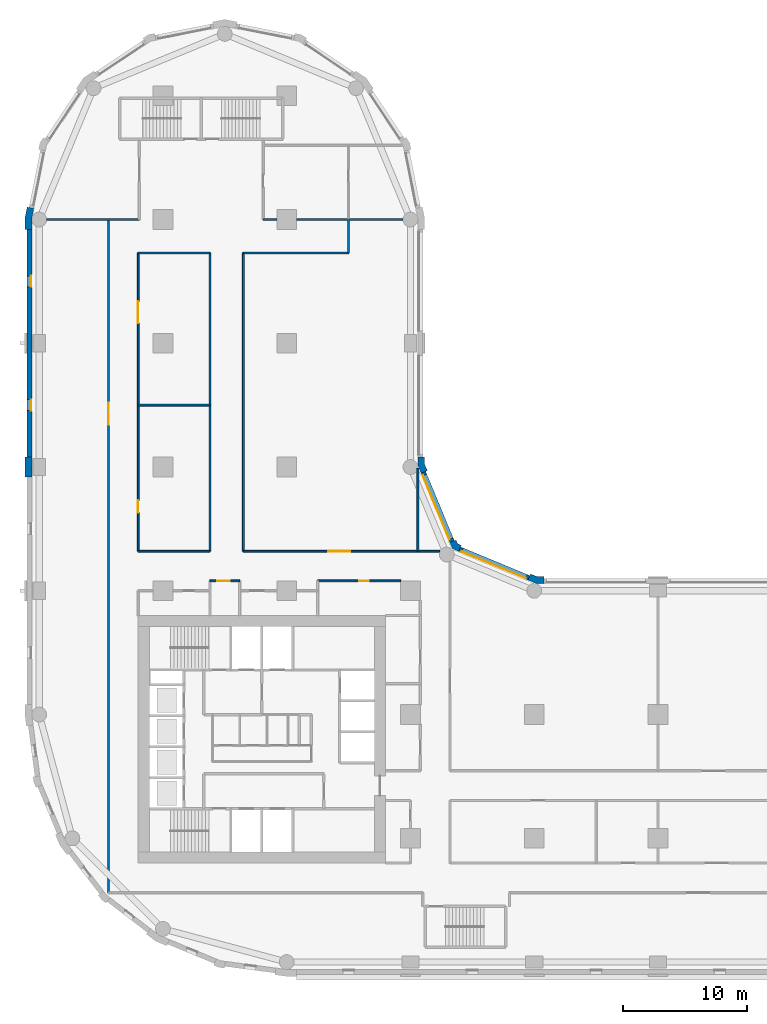
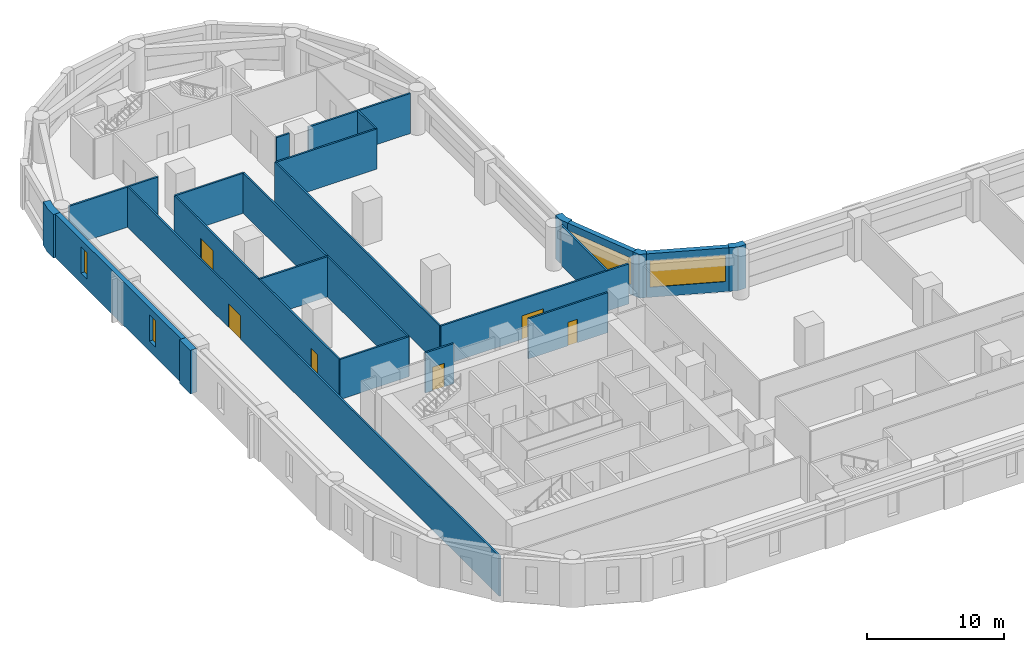
# One storey, part 5 of 10: 24 walls, 6 doors, 4 windows, 10 openings.
"""IFC4 building model written with IfcOpenShell, lengths in metres."""

from ifc_helpers import new_model, si_unit, direction, frame, frame_2d, origin, place, context, subcontext, project, spatial, polyline, rectangle, outline, extrude, material, layer, layer_set, type_object, element, fill, save


model = new_model("IFC4")

# Units and contexts
model_context = context("Model", 3, precision=1e-05, world=origin(), true_north=direction((0.0, 1.0)))
body_context = subcontext(model_context, "Body", "Model", "MODEL_VIEW")
ifc_project = project(units=[si_unit("LENGTHUNIT", "METRE"), si_unit("AREAUNIT", "SQUARE_METRE"), si_unit("VOLUMEUNIT", "CUBIC_METRE"), si_unit("PLANEANGLEUNIT", "RADIAN"), si_unit("MASSUNIT", "GRAM", prefix="KILO")], contexts=[model_context])

# Site, building, storey
site_placement = place(None, origin())
site = spatial("IfcSite", under=ifc_project, at=site_placement, CompositionType="ELEMENT")
building_placement = place(site_placement, origin())
building = spatial("IfcBuilding", under=site, at=building_placement, Name="Qaws Garden Tower", CompositionType="ELEMENT")
storey_placement = place(building_placement, frame((0.0, 0.0, 35.39990234375)))
storey = spatial("IfcBuildingStorey", under=building, at=storey_placement, Name="L08", CompositionType="ELEMENT", Elevation=35.39990234375)

# Wall, opening, window
ifc_material_1 = material(Name="Clay facing brick masonry", Category="masonry")
ifc_layer_1 = layer(ifc_material_1, 0.39990234375)
ifc_layer_set_1 = layer_set([ifc_layer_1], Name="Clay facing brick masonry")
wall_type_1 = type_object("IfcWallType", Name="Brick infill wall 400", PredefinedType="SOLIDWALL", material=ifc_layer_set_1)
wall_1_placement = place(storey_placement, frame((39.56689453125, 31.04541015625, 0.0), z_axis=(0.0, 0.0, 1.0), x_axis=(-0.923891000409, 0.382655745237, 0.0)))
wall_1 = element("IfcWall", 1, at=wall_1_placement, inside=storey, type_object=wall_type_1, Name="E-L08-infill-11", PredefinedType="SOLIDWALL", context=body_context, shape_type="SweptSolid", body=[
    extrude(rectangle(XDim=6.053466796875, YDim=0.39990234375, at=frame_2d((3.02685546875, 0.0))), origin(), (0.0, 0.0, 1.0), 3.900146484375),
])
opening_1_placement = place(wall_1_placement, frame((0.226806640625, 0.0, 0.89990234375)))
opening_1 = element("IfcOpeningElement", 2, at=opening_1_placement, cuts=wall_1, Name="Opening W04", PredefinedType="OPENING", context=body_context, shape_type="SweptSolid", body=[
    extrude(rectangle(XDim=5.60009765625, YDim=2.35009765625, at=frame_2d((2.800048828125, 1.175048828125))), frame((0.0, 0.2099609375, 0.0), z_axis=(0.0, -1.0, 0.0), x_axis=(1.0, 0.0, 0.0)), (0.0, 0.0, 1.0), 0.419921875),
])
ifc_material_2 = material(Name="Aluminium framed window, clear glazing", Category="aluminium")
window_type_1 = type_object("IfcWindowType", Name="Ribbon window 5600 x 2350", PartitioningType="DOUBLE_PANEL_VERTICAL", PredefinedType="WINDOW", material=ifc_material_2)
window_1_placement = place(opening_1_placement, origin())
window_1 = element("IfcWindow", 3, at=window_1_placement, inside=storey, type_object=window_type_1, Name="E-L08-window-11-0", OverallHeight=2.35009765625, OverallWidth=5.60009765625, PartitioningType="SINGLE_PANEL", PredefinedType="WINDOW", context=body_context, shape_type="SweptSolid", body=[
    extrude(rectangle(XDim=5.60009765625, YDim=2.35009765625, at=frame_2d((2.800048828125, 1.175048828125))), frame((0.0, 0.159912109375, 0.0), z_axis=(0.0, -1.0, 0.0), x_axis=(1.0, 0.0, 0.0)), (0.0, 0.0, 1.0), 0.06005859375),
])
fill(opening_1, window_1)

wall_2_placement = place(storey_placement, frame((33.36181640625, 33.97412109375, 0.0), z_axis=(0.0, 0.0, 1.0), x_axis=(-0.382655745237, 0.923891000409, 0.0)))
wall_2 = element("IfcWall", 4, at=wall_2_placement, inside=storey, type_object=wall_type_1, Name="E-L08-infill-12", PredefinedType="SOLIDWALL", context=body_context, shape_type="SweptSolid", body=[
    extrude(rectangle(XDim=6.053466796875, YDim=0.39990234375, at=frame_2d((3.02685546875, 0.0))), origin(), (0.0, 0.0, 1.0), 3.900146484375),
])
opening_2_placement = place(wall_2_placement, frame((0.226806640625, 0.0, 0.89990234375)))
opening_2 = element("IfcOpeningElement", 5, at=opening_2_placement, cuts=wall_2, Name="Opening W04", PredefinedType="OPENING", context=body_context, shape_type="SweptSolid", body=[
    extrude(rectangle(XDim=5.60009765625, YDim=2.35009765625, at=frame_2d((2.800048828125, 1.175048828125))), frame((0.0, 0.2099609375, 0.0), z_axis=(0.0, -1.0, 0.0), x_axis=(1.0, 0.0, 0.0)), (0.0, 0.0, 1.0), 0.419921875),
])
window_2_placement = place(opening_2_placement, origin())
window_2 = element("IfcWindow", 6, at=window_2_placement, inside=storey, type_object=window_type_1, Name="E-L08-window-12-0", OverallHeight=2.35009765625, OverallWidth=5.60009765625, PartitioningType="SINGLE_PANEL", PredefinedType="WINDOW", context=body_context, shape_type="SweptSolid", body=[
    extrude(rectangle(XDim=5.60009765625, YDim=2.35009765625, at=frame_2d((2.800048828125, 1.175048828125))), frame((0.0, 0.159912109375, 0.0), z_axis=(0.0, -1.0, 0.0), x_axis=(1.0, 0.0, 0.0)), (0.0, 0.0, 1.0), 0.06005859375),
])
fill(opening_2, window_2)

# Wall, openings, windows
wall_3_placement = place(storey_placement, frame((-0.800048828125, 59.199951171875, 0.0), z_axis=(0.0, 0.0, 1.0), x_axis=(0.0, -1.0, 0.0)))
wall_3 = element("IfcWall", 7, at=wall_3_placement, inside=storey, type_object=wall_type_1, Name="E-L08-infill-23", PredefinedType="SOLIDWALL", context=body_context, shape_type="SweptSolid", body=[
    extrude(rectangle(XDim=18.39990234375, YDim=0.39990234375, at=frame_2d((9.199951171875, 0.0))), origin(), (0.0, 0.0, 1.0), 3.900146484375),
])
opening_3_placement = place(wall_3_placement, frame((3.75, 0.0, 0.89990234375)))
opening_3 = element("IfcOpeningElement", 8, at=opening_3_placement, cuts=wall_3, Name="Opening W09", PredefinedType="OPENING", context=body_context, shape_type="SweptSolid", body=[
    extrude(rectangle(XDim=0.89990234375, YDim=2.35009765625, at=frame_2d((0.449951171875, 1.175048828125))), frame((0.0, 0.2099609375, 0.0), z_axis=(0.0, -1.0, 0.0), x_axis=(1.0, 0.0, 0.0)), (0.0, 0.0, 1.0), 0.419921875),
])
opening_4_placement = place(wall_3_placement, frame((13.75, 0.0, 0.89990234375)))
opening_4 = element("IfcOpeningElement", 9, at=opening_4_placement, cuts=wall_3, Name="Opening W09", PredefinedType="OPENING", context=body_context, shape_type="SweptSolid", body=[
    extrude(rectangle(XDim=0.89990234375, YDim=2.35009765625, at=frame_2d((0.449951171875, 1.175048828125))), frame((0.0, 0.2099609375, 0.0), z_axis=(0.0, -1.0, 0.0), x_axis=(1.0, 0.0, 0.0)), (0.0, 0.0, 1.0), 0.419921875),
])
ifc_material_3 = material(Name="Aluminium framed window, clear glazing", Category="aluminium")
window_type_2 = type_object("IfcWindowType", Name="Slit window 900 x 2350", PartitioningType="SINGLE_PANEL", PredefinedType="WINDOW", material=ifc_material_3)
window_3_placement = place(opening_3_placement, origin())
window_3 = element("IfcWindow", 10, at=window_3_placement, inside=storey, type_object=window_type_2, Name="E-L08-window-23-0", OverallHeight=2.35009765625, OverallWidth=0.89990234375, PartitioningType="SINGLE_PANEL", PredefinedType="WINDOW", context=body_context, shape_type="SweptSolid", body=[
    extrude(rectangle(XDim=0.89990234375, YDim=2.35009765625, at=frame_2d((0.449951171875, 1.175048828125))), frame((0.0, 0.159912109375, 0.0), z_axis=(0.0, -1.0, 0.0), x_axis=(1.0, 0.0, 0.0)), (0.0, 0.0, 1.0), 0.06005859375),
])
fill(opening_3, window_3)
window_4_placement = place(opening_4_placement, origin())
window_4 = element("IfcWindow", 11, at=window_4_placement, inside=storey, type_object=window_type_2, Name="E-L08-window-24-0", OverallHeight=2.35009765625, OverallWidth=0.89990234375, PartitioningType="SINGLE_PANEL", PredefinedType="WINDOW", context=body_context, shape_type="SweptSolid", body=[
    extrude(rectangle(XDim=0.89990234375, YDim=2.35009765625, at=frame_2d((0.449951171875, 1.175048828125))), frame((0.0, 0.159912109375, 0.0), z_axis=(0.0, -1.0, 0.0), x_axis=(1.0, 0.0, 0.0)), (0.0, 0.0, 1.0), 0.06005859375),
])
fill(opening_4, window_4)

# Walls
ifc_material_4 = material(Name="Clay facing brick masonry", Category="masonry")
ifc_layer_2 = layer(ifc_material_4, 0.550048828125)
ifc_layer_set_2 = layer_set([ifc_layer_2], Name="Clay facing brick masonry")
wall_type_2 = type_object("IfcWallType", Name="Brick pier 550 x 1600", PredefinedType="SOLIDWALL", material=ifc_layer_set_2)
placement = place(storey_placement, origin())
element("IfcWall", 12, at=placement, inside=storey, type_object=wall_type_2, Name="E-L08-pier-11", PredefinedType="SOLIDWALL", context=body_context, shape_type="SweptSolid", body=[
    extrude(outline(polyline([(40.800048828125, 31.0), (40.800048828125, 31.14990234375), (40.228759765625, 31.14990234375), (39.700927734375, 31.36865234375), (39.6435546875, 31.22998046875), (39.490478515625, 30.860595703125), (40.119384765625, 30.60009765625), (40.800048828125, 30.60009765625), (40.800048828125, 31.0)])), origin(), (0.0, 0.0, 1.0), 3.900146484375),
])
element("IfcWall", 13, at=placement, inside=storey, type_object=wall_type_2, Name="E-L08-pier-12", PredefinedType="SOLIDWALL", context=body_context, shape_type="SweptSolid", body=[
    extrude(outline(polyline([(34.05078125, 33.546630859375), (34.108154296875, 33.685302734375), (33.80908203125, 33.80908203125), (33.685302734375, 34.108154296875), (33.546630859375, 34.05078125), (33.177001953125, 33.897705078125), (33.38818359375, 33.38818359375), (33.897705078125, 33.177001953125), (34.05078125, 33.546630859375)])), origin(), (0.0, 0.0, 1.0), 3.900146484375),
])
element("IfcWall", 14, at=placement, inside=storey, type_object=wall_type_2, Name="E-L08-pier-13", PredefinedType="SOLIDWALL", context=body_context, shape_type="SweptSolid", body=[
    extrude(outline(polyline([(31.22998046875, 39.6435546875), (31.36865234375, 39.700927734375), (31.14990234375, 40.228759765625), (31.14990234375, 40.800048828125), (31.0, 40.800048828125), (30.60009765625, 40.800048828125), (30.60009765625, 40.119384765625), (30.860595703125, 39.490478515625), (31.22998046875, 39.6435546875)])), origin(), (0.0, 0.0, 1.0), 3.900146484375),
])
element("IfcWall", 15, at=placement, inside=storey, type_object=wall_type_2, Name="E-L08-pier-23", PredefinedType="SOLIDWALL", context=body_context, shape_type="SweptSolid", body=[
    extrude(outline(polyline([(-0.82470703125, 60.979736328125), (-0.971923828125, 61.009033203125), (-1.14990234375, 60.11328125), (-1.14990234375, 59.199951171875), (-1.0, 59.199951171875), (-0.60009765625, 59.199951171875), (-0.60009765625, 60.05908203125), (-0.432373046875, 60.901611328125), (-0.82470703125, 60.979736328125)])), origin(), (0.0, 0.0, 1.0), 3.900146484375),
])
element("IfcWall", 16, at=placement, inside=storey, type_object=wall_type_2, Name="E-L08-pier-25", PredefinedType="SOLIDWALL", context=body_context, shape_type="SweptSolid", body=[
    extrude(outline(polyline([(-1.0, 40.800048828125), (-1.14990234375, 40.800048828125), (-1.14990234375, 40.0), (-1.14990234375, 39.199951171875), (-1.0, 39.199951171875), (-0.60009765625, 39.199951171875), (-0.60009765625, 40.0), (-0.60009765625, 40.800048828125), (-1.0, 40.800048828125)])), origin(), (0.0, 0.0, 1.0), 3.900146484375),
])

# Wall, opening, door
ifc_material_5 = material(Name="Gypsum board partition")
ifc_layer_3 = layer(ifc_material_5, 0.14990234375)
ifc_layer_set_3 = layer_set([ifc_layer_3], Name="Gypsum board partition")
wall_type_3 = type_object("IfcWallType", Name="PARTITION 150 EI 60", PredefinedType="PARTITIONING", material=ifc_layer_set_3)
wall_9_placement = place(storey_placement, frame((5.60009765625, 5.60009765625, 0.0), z_axis=(0.0, 0.0, 1.0), x_axis=(0.0, 1.0, 0.0)))
wall_9 = element("IfcWall", 17, at=wall_9_placement, inside=storey, type_object=wall_type_3, Name="O-L08-wall-002", PredefinedType="PARTITIONING", context=body_context, shape_type="SweptSolid", body=[
    extrude(rectangle(XDim=54.39990234375, YDim=0.14990234375, at=frame_2d((27.199951171875, 0.0))), origin(), (0.0, 0.0, 1.0), 3.580078125),
])
opening_5_placement = place(wall_9_placement, frame((37.800048828125, 0.0, 0.0)))
opening_5 = element("IfcOpeningElement", 18, at=opening_5_placement, cuts=wall_9, Name="Opening A301", PredefinedType="OPENING", context=body_context, shape_type="SweptSolid", body=[
    extrude(rectangle(XDim=1.800048828125, YDim=2.10009765625, at=frame_2d((0.89990234375, 1.050048828125))), frame((0.0, 0.0849609375, 0.0), z_axis=(0.0, -1.0, 0.0), x_axis=(1.0, 0.0, 0.0)), (0.0, 0.0, 1.0), 0.169921875),
])
ifc_material_6 = material(Name="Timber door leaf", Category="wood")
door_type_1 = type_object("IfcDoorType", Name="DOUBLE DOOR 1800 X 2100", OperationType="DOUBLE_DOOR_SINGLE_SWING", PredefinedType="DOOR", material=ifc_material_6)
door_1_placement = place(opening_5_placement, origin())
door_1 = element("IfcDoor", 19, at=door_1_placement, inside=storey, type_object=door_type_1, Name="O-L08-door-001", OperationType="DOUBLE_DOOR_SINGLE_SWING", OverallHeight=2.10009765625, OverallWidth=1.800048828125, PredefinedType="DOOR", context=body_context, shape_type="SweptSolid", body=[
    extrude(rectangle(XDim=1.800048828125, YDim=2.10009765625, at=frame_2d((0.89990234375, 1.050048828125))), frame((0.0, 0.02490234375, 0.0), z_axis=(0.0, -1.0, 0.0), x_axis=(1.0, 0.0, 0.0)), (0.0, 0.0, 1.0), 0.050048828125),
])
fill(opening_5, door_1)

# Wall, openings, doors
wall_10_placement = place(storey_placement, frame((8.0, 33.199951171875, 0.0), z_axis=(0.0, 0.0, 1.0), x_axis=(0.0, 1.0, 0.0)))
wall_10 = element("IfcWall", 20, at=wall_10_placement, inside=storey, type_object=wall_type_3, Name="O-L08-wall-004", PredefinedType="PARTITIONING", context=body_context, shape_type="SweptSolid", body=[
    extrude(rectangle(XDim=24.10009765625, YDim=0.14990234375, at=frame_2d((12.050048828125, 0.0))), origin(), (0.0, 0.0, 1.0), 3.580078125),
])
opening_6_placement = place(wall_10_placement, frame((3.10009765625, 0.0, 0.0)))
opening_6 = element("IfcOpeningElement", 21, at=opening_6_placement, cuts=wall_10, Name="Opening A306", PredefinedType="OPENING", context=body_context, shape_type="SweptSolid", body=[
    extrude(rectangle(XDim=1.0, YDim=2.10009765625, at=frame_2d((0.5, 1.050048828125))), frame((0.0, 0.0849609375, 0.0), z_axis=(0.0, -1.0, 0.0), x_axis=(1.0, 0.0, 0.0)), (0.0, 0.0, 1.0), 0.169921875),
])
opening_7_placement = place(wall_10_placement, frame((18.39990234375, 0.0, 0.0)))
opening_7 = element("IfcOpeningElement", 22, at=opening_7_placement, cuts=wall_10, Name="Opening A307", PredefinedType="OPENING", context=body_context, shape_type="SweptSolid", body=[
    extrude(rectangle(XDim=1.800048828125, YDim=2.10009765625, at=frame_2d((0.89990234375, 1.050048828125))), frame((0.0, 0.0849609375, 0.0), z_axis=(0.0, -1.0, 0.0), x_axis=(1.0, 0.0, 0.0)), (0.0, 0.0, 1.0), 0.169921875),
])
door_2_placement = place(opening_7_placement, frame((1.800048828125, 0.0, 0.0), z_axis=(0.0, 0.0, 1.0), x_axis=(-1.0, 0.0, 0.0)))
door_2 = element("IfcDoor", 23, at=door_2_placement, inside=storey, type_object=door_type_1, Name="O-L08-door-007", OperationType="DOUBLE_DOOR_SINGLE_SWING", OverallHeight=2.10009765625, OverallWidth=1.800048828125, PredefinedType="DOOR", context=body_context, shape_type="SweptSolid", body=[
    extrude(rectangle(XDim=1.800048828125, YDim=2.10009765625, at=frame_2d((0.89990234375, 1.050048828125))), frame((0.0, 0.02490234375, 0.0), z_axis=(0.0, -1.0, 0.0), x_axis=(1.0, 0.0, 0.0)), (0.0, 0.0, 1.0), 0.050048828125),
])
fill(opening_7, door_2)
ifc_material_7 = material(Name="Timber door leaf", Category="wood")
door_type_2 = type_object("IfcDoorType", Name="TENANCY ENTRANCE DOOR 1000 X 2100", OperationType="SINGLE_SWING_LEFT", PredefinedType="DOOR", material=ifc_material_7)
door_3_placement = place(opening_6_placement, frame((1.0, 0.0, 0.0), z_axis=(0.0, 0.0, 1.0), x_axis=(-1.0, 0.0, 0.0)))
door_3 = element("IfcDoor", 24, at=door_3_placement, inside=storey, type_object=door_type_2, Name="O-L08-door-006", OperationType="SINGLE_SWING_RIGHT", OverallHeight=2.10009765625, OverallWidth=1.0, PredefinedType="DOOR", context=body_context, shape_type="SweptSolid", body=[
    extrude(rectangle(XDim=1.0, YDim=2.10009765625, at=frame_2d((0.5, 1.050048828125))), frame((0.0, 0.02490234375, 0.0), z_axis=(0.0, -1.0, 0.0), x_axis=(1.0, 0.0, 0.0)), (0.0, 0.0, 1.0), 0.050048828125),
])
fill(opening_6, door_3)

# Walls
for number, where, z_axis, x_axis, name in (
    (25, (13.800048828125, 33.199951171875, 0.0), (0.0, 0.0, 1.0), (0.0, 1.0, 0.0), "O-L08-wall-007"),
    (26, (16.5, 33.199951171875, 0.0), (0.0, 0.0, 1.0), (0.0, 1.0, 0.0), "O-L08-wall-009"),
):
    element("IfcWall", number, at=place(storey_placement, frame(where, z_axis=z_axis, x_axis=x_axis)), inside=storey, type_object=wall_type_3, Name=name, PredefinedType="PARTITIONING", context=body_context, shape_type="SweptSolid", body=[
        extrude(rectangle(XDim=24.10009765625, YDim=0.14990234375, at=frame_2d((12.050048828125, 0.0))), origin(), (0.0, 0.0, 1.0), 3.580078125),
    ])
wall_11_placement = place(storey_placement, frame((25.0, 57.300048828125, 0.0), z_axis=(0.0, 0.0, 1.0), x_axis=(0.0, 1.0, 0.0)))
element("IfcWall", 27, at=wall_11_placement, inside=storey, type_object=wall_type_3, Name="O-L08-wall-012", PredefinedType="PARTITIONING", context=body_context, shape_type="SweptSolid", body=[
    extrude(rectangle(XDim=2.699951171875, YDim=0.14990234375, at=frame_2d((1.35009765625, 0.0))), origin(), (0.0, 0.0, 1.0), 3.580078125),
])
wall_12_placement = place(storey_placement, frame((30.60009765625, 33.199951171875, 0.0), z_axis=(0.0, 0.0, 1.0), x_axis=(0.0, 1.0, 0.0)))
element("IfcWall", 28, at=wall_12_placement, inside=storey, type_object=wall_type_3, Name="O-L08-wall-015", PredefinedType="PARTITIONING", context=body_context, shape_type="SweptSolid", body=[
    extrude(rectangle(XDim=6.698974609375, YDim=0.14990234375, at=frame_2d((3.349609375, 0.0))), origin(), (0.0, 0.0, 1.0), 3.580078125),
])

# Wall, opening, door
wall_13_placement = place(storey_placement, frame((13.800048828125, 30.800048828125, 0.0), z_axis=(0.0, 0.0, 1.0), x_axis=(1.0, 0.0, 0.0)))
wall_13 = element("IfcWall", 29, at=wall_13_placement, inside=storey, type_object=wall_type_3, Name="O-L08-wall-045", PredefinedType="PARTITIONING", context=body_context, shape_type="SweptSolid", body=[
    extrude(rectangle(XDim=2.39990234375, YDim=0.14990234375, at=frame_2d((1.199951171875, 0.0))), origin(), (0.0, 0.0, 1.0), 3.580078125),
])
opening_8_placement = place(wall_13_placement, frame((0.60009765625, 0.0, 0.0)))
opening_8 = element("IfcOpeningElement", 30, at=opening_8_placement, cuts=wall_13, Name="Opening A311", PredefinedType="OPENING", context=body_context, shape_type="SweptSolid", body=[
    extrude(rectangle(XDim=1.0, YDim=2.10009765625, at=frame_2d((0.5, 1.050048828125))), frame((0.0, 0.0849609375, 0.0), z_axis=(0.0, -1.0, 0.0), x_axis=(1.0, 0.0, 0.0)), (0.0, 0.0, 1.0), 0.169921875),
])
door_4_placement = place(opening_8_placement, frame((1.0, 0.0, 0.0), z_axis=(0.0, 0.0, 1.0), x_axis=(-1.0, 0.0, 0.0)))
door_4 = element("IfcDoor", 31, at=door_4_placement, inside=storey, type_object=door_type_2, Name="O-L08-door-011", OperationType="SINGLE_SWING_RIGHT", OverallHeight=2.10009765625, OverallWidth=1.0, PredefinedType="DOOR", context=body_context, shape_type="SweptSolid", body=[
    extrude(rectangle(XDim=1.0, YDim=2.10009765625, at=frame_2d((0.5, 1.050048828125))), frame((0.0, 0.02490234375, 0.0), z_axis=(0.0, -1.0, 0.0), x_axis=(1.0, 0.0, 0.0)), (0.0, 0.0, 1.0), 0.050048828125),
])
fill(opening_8, door_4)

wall_14_placement = place(storey_placement, frame((22.5, 30.800048828125, 0.0), z_axis=(0.0, 0.0, 1.0), x_axis=(1.0, 0.0, 0.0)))
wall_14 = element("IfcWall", 32, at=wall_14_placement, inside=storey, type_object=wall_type_3, Name="O-L08-wall-046", PredefinedType="PARTITIONING", context=body_context, shape_type="SweptSolid", body=[
    extrude(rectangle(XDim=6.699951171875, YDim=0.14990234375, at=frame_2d((3.35009765625, 0.0))), origin(), (0.0, 0.0, 1.0), 3.580078125),
])
opening_9_placement = place(wall_14_placement, frame((3.35009765625, 0.0, 0.0)))
opening_9 = element("IfcOpeningElement", 33, at=opening_9_placement, cuts=wall_14, Name="Opening A305", PredefinedType="OPENING", context=body_context, shape_type="SweptSolid", body=[
    extrude(rectangle(XDim=0.800048828125, YDim=2.10009765625, at=frame_2d((0.39990234375, 1.050048828125))), frame((0.0, 0.0849609375, 0.0), z_axis=(0.0, -1.0, 0.0), x_axis=(1.0, 0.0, 0.0)), (0.0, 0.0, 1.0), 0.169921875),
])
ifc_material_8 = material(Name="Timber door leaf", Category="wood")
door_type_3 = type_object("IfcDoorType", Name="STORE DOOR 800 X 2100", OperationType="SINGLE_SWING_LEFT", PredefinedType="DOOR", material=ifc_material_8)
door_5_placement = place(opening_9_placement, frame((0.800048828125, 0.0, 0.0), z_axis=(0.0, 0.0, 1.0), x_axis=(-1.0, 0.0, 0.0)))
door_5 = element("IfcDoor", 34, at=door_5_placement, inside=storey, type_object=door_type_3, Name="O-L08-door-005", OperationType="SINGLE_SWING_LEFT", OverallHeight=2.10009765625, OverallWidth=0.800048828125, PredefinedType="DOOR", context=body_context, shape_type="SweptSolid", body=[
    extrude(rectangle(XDim=0.800048828125, YDim=2.10009765625, at=frame_2d((0.39990234375, 1.050048828125))), frame((0.0, 0.02490234375, 0.0), z_axis=(0.0, -1.0, 0.0), x_axis=(1.0, 0.0, 0.0)), (0.0, 0.0, 1.0), 0.050048828125),
])
fill(opening_9, door_5)

# Wall
wall_15_placement = place(storey_placement, frame((8.0, 33.199951171875, 0.0), z_axis=(0.0, 0.0, 1.0), x_axis=(1.0, 0.0, 0.0)))
element("IfcWall", 35, at=wall_15_placement, inside=storey, type_object=wall_type_3, Name="O-L08-wall-047", PredefinedType="PARTITIONING", context=body_context, shape_type="SweptSolid", body=[
    extrude(rectangle(XDim=5.800048828125, YDim=0.14990234375, at=frame_2d((2.89990234375, 0.0))), origin(), (0.0, 0.0, 1.0), 3.580078125),
])

# Wall, opening, door
wall_16_placement = place(storey_placement, frame((16.5, 33.199951171875, 0.0), z_axis=(0.0, 0.0, 1.0), x_axis=(1.0, 0.0, 0.0)))
wall_16 = element("IfcWall", 36, at=wall_16_placement, inside=storey, type_object=wall_type_3, Name="O-L08-wall-048", PredefinedType="PARTITIONING", context=body_context, shape_type="SweptSolid", body=[
    extrude(rectangle(XDim=15.862060546875, YDim=0.14990234375, at=frame_2d((7.93115234375, 0.0))), origin(), (0.0, 0.0, 1.0), 3.580078125),
])
opening_10_placement = place(wall_16_placement, frame((6.85009765625, 0.0, 0.0)))
opening_10 = element("IfcOpeningElement", 37, at=opening_10_placement, cuts=wall_16, Name="Opening A308", PredefinedType="OPENING", context=body_context, shape_type="SweptSolid", body=[
    extrude(rectangle(XDim=1.800048828125, YDim=2.10009765625, at=frame_2d((0.89990234375, 1.050048828125))), frame((0.0, 0.0849609375, 0.0), z_axis=(0.0, -1.0, 0.0), x_axis=(1.0, 0.0, 0.0)), (0.0, 0.0, 1.0), 0.169921875),
])
door_6_placement = place(opening_10_placement, origin())
door_6 = element("IfcDoor", 38, at=door_6_placement, inside=storey, type_object=door_type_1, Name="O-L08-door-008", OperationType="DOUBLE_DOOR_SINGLE_SWING", OverallHeight=2.10009765625, OverallWidth=1.800048828125, PredefinedType="DOOR", context=body_context, shape_type="SweptSolid", body=[
    extrude(rectangle(XDim=1.800048828125, YDim=2.10009765625, at=frame_2d((0.89990234375, 1.050048828125))), frame((0.0, 0.02490234375, 0.0), z_axis=(0.0, -1.0, 0.0), x_axis=(1.0, 0.0, 0.0)), (0.0, 0.0, 1.0), 0.050048828125),
])
fill(opening_10, door_6)

# Walls
for number, where, z_axis, x_axis, name in (
    (39, (8.0, 45.0, 0.0), (0.0, 0.0, 1.0), (1.0, 0.0, 0.0), "O-L08-wall-049"),
    (40, (8.0, 57.300048828125, 0.0), (0.0, 0.0, 1.0), (1.0, 0.0, 0.0), "O-L08-wall-050"),
):
    element("IfcWall", number, at=place(storey_placement, frame(where, z_axis=z_axis, x_axis=x_axis)), inside=storey, type_object=wall_type_3, Name=name, PredefinedType="PARTITIONING", context=body_context, shape_type="SweptSolid", body=[
        extrude(rectangle(XDim=5.800048828125, YDim=0.14990234375, at=frame_2d((2.89990234375, 0.0))), origin(), (0.0, 0.0, 1.0), 3.580078125),
    ])
wall_17_placement = place(storey_placement, frame((16.5, 57.300048828125, 0.0), z_axis=(0.0, 0.0, 1.0), x_axis=(1.0, 0.0, 0.0)))
element("IfcWall", 41, at=wall_17_placement, inside=storey, type_object=wall_type_3, Name="O-L08-wall-051", PredefinedType="PARTITIONING", context=body_context, shape_type="SweptSolid", body=[
    extrude(rectangle(XDim=8.5, YDim=0.14990234375, at=frame_2d((4.25, 0.0))), origin(), (0.0, 0.0, 1.0), 3.580078125),
])
wall_18_placement = place(storey_placement, frame((0.60009765625, 60.0, 0.0), z_axis=(0.0, 0.0, 1.0), x_axis=(1.0, 0.0, 0.0)))
element("IfcWall", 42, at=wall_18_placement, inside=storey, type_object=wall_type_3, Name="O-L08-wall-052", PredefinedType="PARTITIONING", context=body_context, shape_type="SweptSolid", body=[
    extrude(rectangle(XDim=7.5, YDim=0.14990234375, at=frame_2d((3.75, 0.0))), origin(), (0.0, 0.0, 1.0), 3.580078125),
])
wall_19_placement = place(storey_placement, frame((18.10009765625, 60.0, 0.0), z_axis=(0.0, 0.0, 1.0), x_axis=(1.0, 0.0, 0.0)))
element("IfcWall", 43, at=wall_19_placement, inside=storey, type_object=wall_type_3, Name="O-L08-wall-053", PredefinedType="PARTITIONING", context=body_context, shape_type="SweptSolid", body=[
    extrude(rectangle(XDim=1.099853515625, YDim=0.14990234375, at=frame_2d((0.5498046875, 0.0))), origin(), (0.0, 0.0, 1.0), 3.580078125),
])
wall_20_placement = place(storey_placement, frame((20.800048828125, 60.0, 0.0), z_axis=(0.0, 0.0, 1.0), x_axis=(1.0, 0.0, 0.0)))
element("IfcWall", 44, at=wall_20_placement, inside=storey, type_object=wall_type_3, Name="O-L08-wall-054", PredefinedType="PARTITIONING", context=body_context, shape_type="SweptSolid", body=[
    extrude(rectangle(XDim=8.599853515625, YDim=0.14990234375, at=frame_2d((4.2998046875, 0.0))), origin(), (0.0, 0.0, 1.0), 3.580078125),
])

save(model, "model.ifc")
